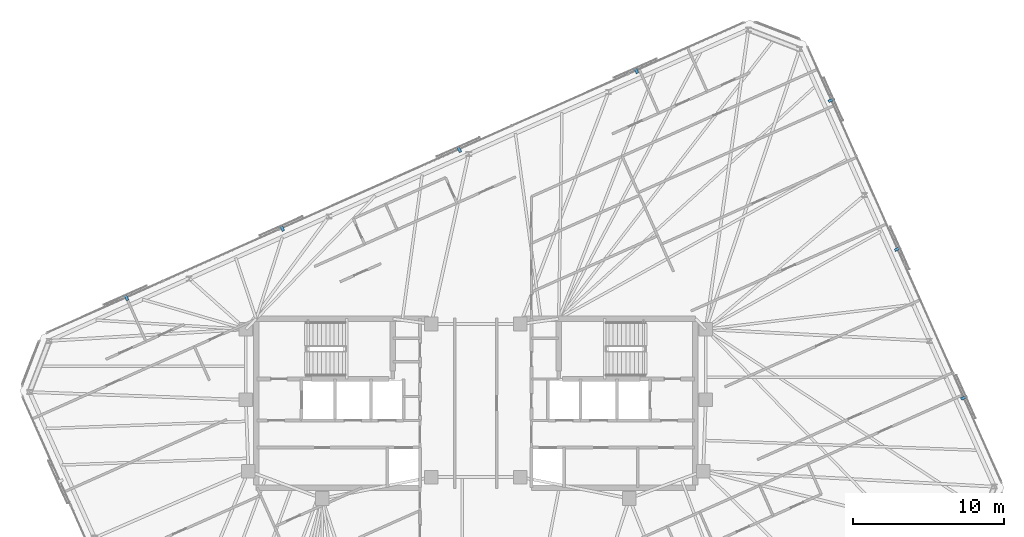
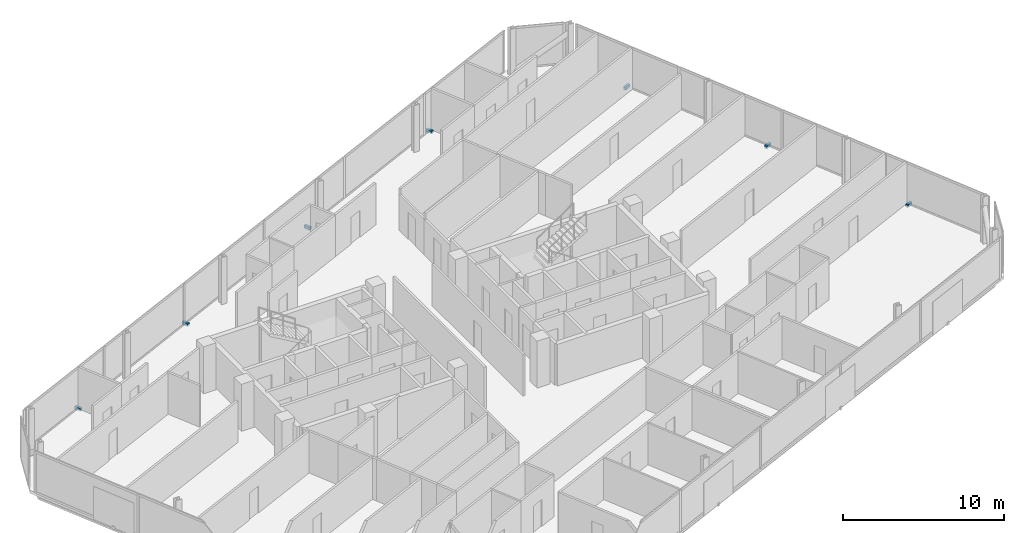
# One storey, part 18 of 19: 7 discrete accessories.
"""IFC4 building model written with IfcOpenShell, lengths in metres."""

from ifc_helpers import new_model, si_unit, direction, frame, origin, origin_2d, place, context, subcontext, project, spatial, rectangle, extrude, material, type_object, element, save


model = new_model("IFC4")

# Units and contexts
model_context = context("Model", 3, precision=1e-05, world=origin(), true_north=direction((0.0, 1.0)))
body_context = subcontext(model_context, "Body", "Model", "MODEL_VIEW")
ifc_project = project(units=[si_unit("LENGTHUNIT", "METRE"), si_unit("AREAUNIT", "SQUARE_METRE"), si_unit("VOLUMEUNIT", "CUBIC_METRE"), si_unit("PLANEANGLEUNIT", "RADIAN"), si_unit("MASSUNIT", "GRAM", prefix="KILO")], contexts=[model_context])

# Site, building, storey
site_placement = place(None, origin())
site = spatial("IfcSite", under=ifc_project, at=site_placement, CompositionType="ELEMENT")
building_placement = place(site_placement, origin())
building = spatial("IfcBuilding", under=site, at=building_placement, Name="Menara Jurai Vektor", CompositionType="ELEMENT")
storey_placement = place(building_placement, frame((0.0, 0.0, 302.0)))
storey = spatial("IfcBuildingStorey", under=building, at=storey_placement, Name="L81", CompositionType="ELEMENT", Elevation=302.0)

# Discrete accessories
ifc_material = material(Name="Steel S355", Category="steel")
discrete_accessory_type = type_object("IfcDiscreteAccessoryType", Name="ENV-ACC-BRACKET", PredefinedType="BRACKET", material=ifc_material)
for number, where, z_axis, x_axis, name in (
    (1, (32.376708984375, 0.36572265625, -0.1298828125), (0.0, 0.0, 1.0), (-0.406736643076, 0.913545457643, 0.0), "Solar Screen Stand-Off Bracket L81-S05"),
    (2, (27.98388671875, 10.23193359375, -0.1298828125), (0.0, 0.0, 1.0), (-0.406736643076, 0.913545457643, 0.0), "Solar Screen Stand-Off Bracket L81-S06"),
    (3, (23.59130859375, 20.098388671875, -0.1298828125), (0.0, 0.0, 1.0), (-0.406736643076, 0.913545457643, 0.0), "Solar Screen Stand-Off Bracket L81-S07"),
    (4, (10.633056640625, 22.07470703125, -0.1298828125), (0.0, 0.0, 1.0), (-0.913545457643, -0.406736643076, 0.0), "Solar Screen Stand-Off Bracket L81-S08"),
    (5, (-1.10595703125, 16.84814453125, -0.1298828125), (0.0, 0.0, 1.0), (-0.913545457643, -0.406736643076, 0.0), "Solar Screen Stand-Off Bracket L81-S09"),
    (6, (-12.84521484375, 11.62158203125, -0.1298828125), (0.0, 0.0, 1.0), (-0.913545457643, -0.406736643076, 0.0), "Solar Screen Stand-Off Bracket L81-S10"),
    (7, (-23.17529296875, 7.022216796875, -0.1298828125), (0.0, 0.0, 1.0), (-0.913545457643, -0.406736643076, 0.0), "Solar Screen Stand-Off Bracket L81-S11"),
):
    element("IfcDiscreteAccessory", number, at=place(storey_placement, frame(where, z_axis=z_axis, x_axis=x_axis)), inside=storey, type_object=discrete_accessory_type, Name=name, PredefinedType="BRACKET", context=body_context, shape_type="SweptSolid", body=[
        extrude(rectangle(XDim=0.179931640625, YDim=0.43994140625, at=origin_2d()), origin(), (0.0, 0.0, 1.0), 0.219970703125),
    ])

save(model, "model.ifc")
